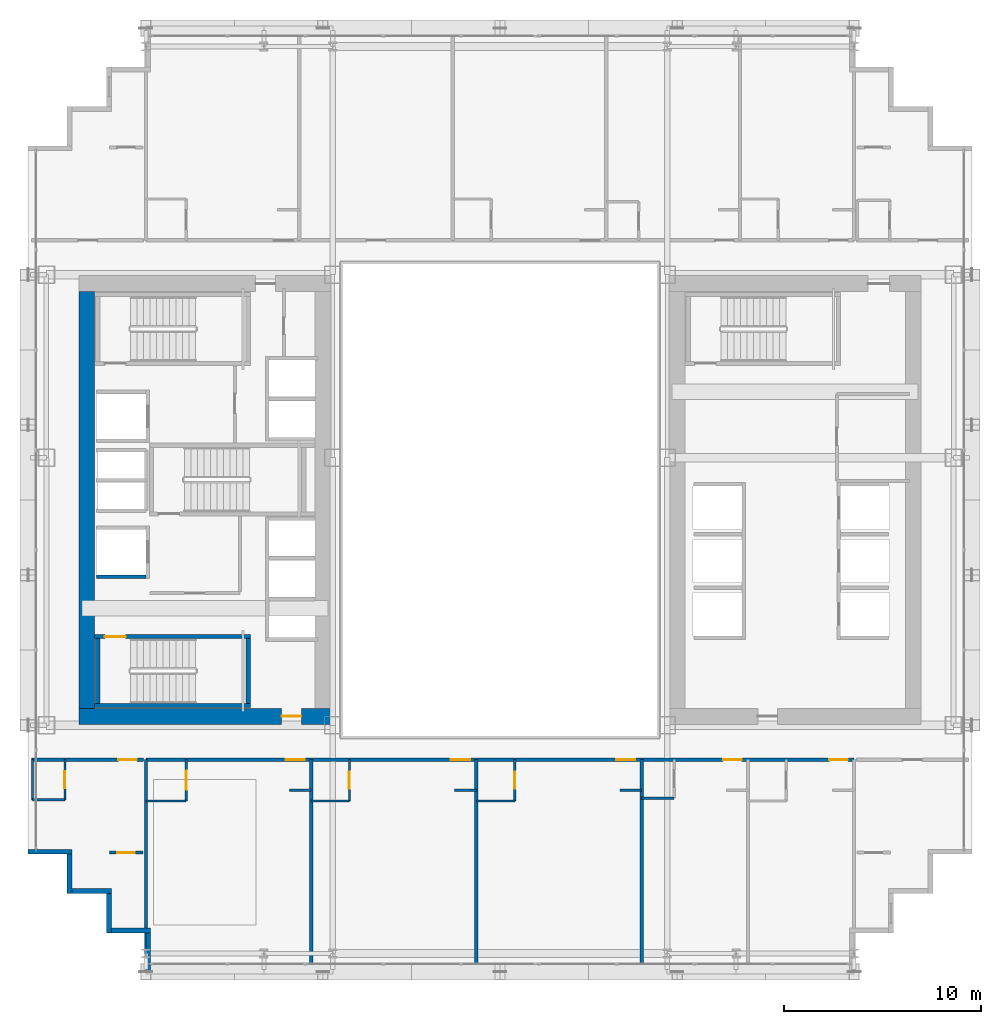
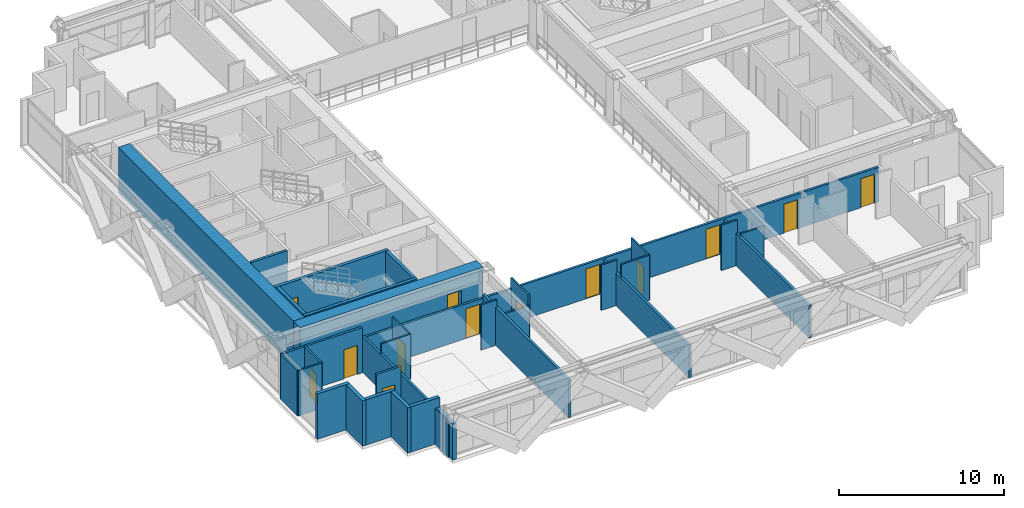
# One storey, part 30 of 38: 33 walls, 13 doors, 13 openings.
"""IFC4 building model written with IfcOpenShell, lengths in metres."""

from ifc_helpers import new_model, si_unit, direction, frame, frame_2d, origin, place, context, subcontext, project, spatial, rectangle, extrude, source, transform, mapped, material, layer, layer_set, type_object, element, fill, save


model = new_model("IFC4")

# Units and contexts
model_context = context("Model", 3, precision=1e-05, world=origin(), true_north=direction((0.0, 1.0)))
body_context = subcontext(model_context, "Body", "Model", "MODEL_VIEW")
ifc_project = project(units=[si_unit("LENGTHUNIT", "METRE"), si_unit("AREAUNIT", "SQUARE_METRE"), si_unit("VOLUMEUNIT", "CUBIC_METRE"), si_unit("PLANEANGLEUNIT", "RADIAN"), si_unit("MASSUNIT", "GRAM", prefix="KILO")], contexts=[model_context])

# Site, building, storey
site_placement = place(None, origin())
site = spatial("IfcSite", under=ifc_project, at=site_placement, CompositionType="ELEMENT")
building_placement = place(site_placement, origin())
building = spatial("IfcBuilding", under=site, at=building_placement, Name="Ocotamira Hotel", CompositionType="ELEMENT")
storey_placement = place(building_placement, frame((0.0, 0.0, 60.0)))
storey = spatial("IfcBuildingStorey", under=building, at=storey_placement, Name="L14", CompositionType="ELEMENT", Elevation=60.0)

# Wall, opening, door
ifc_material_1 = material(Name="Concrete C60/75", Category="concrete")
ifc_layer_1 = layer(ifc_material_1, 0.800048828125)
ifc_layer_set_1 = layer_set([ifc_layer_1], Name="Concrete C60/75")
wall_type_1 = type_object("IfcWallType", Name="WL-CORE-800", PredefinedType="SHEAR", material=ifc_layer_set_1)
wall_1_placement = place(storey_placement, frame((10.60009765625, 15.0, 0.0), z_axis=(0.0, 0.0, 1.0), x_axis=(1.0, 0.0, 0.0)))
wall_1 = element("IfcWall", 1, at=wall_1_placement, inside=storey, type_object=wall_type_1, Name="L14 Shear Core Wall WCORE-S", PredefinedType="SHEAR", context=body_context, shape_type="SweptSolid", body=[
    extrude(rectangle(XDim=12.7998046875, YDim=0.800048828125, at=frame_2d((6.39990234375, 0.0))), origin(), (0.0, 0.0, 1.0), 3.35009765625),
])
opening_1_placement = place(wall_1_placement, frame((10.300048828125, 0.0, 0.0)))
opening_1 = element("IfcOpeningElement", 2, at=opening_1_placement, cuts=wall_1, Name="Opening D-FR2", PredefinedType="OPENING", context=body_context, shape_type="SweptSolid", body=[
    extrude(rectangle(XDim=1.0, YDim=2.14990234375, at=frame_2d((0.5, 1.074951171875))), frame((0.0, 0.41015625, 0.0), z_axis=(0.0, -1.0, 0.0), x_axis=(1.0, 0.0, 0.0)), (0.0, 0.0, 1.0), 0.820068359375),
])
ifc_material_2 = material(Name="Fire-rated acoustic timber-veneer door", Category="wood")
door_type_1 = type_object("IfcDoorType", Name="DR-FIRE-1000", OperationType="NOTDEFINED", PredefinedType="DOOR", material=ifc_material_2)
shared_shape_1 = source(origin(), body_context, "Body", "SweptSolid", [
    extrude(rectangle(XDim=1.0, YDim=2.14990234375, at=frame_2d((0.5, 1.074951171875))), frame((0.0, 0.02490234375, 0.0), z_axis=(0.0, -1.0, 0.0), x_axis=(1.0, 0.0, 0.0)), (0.0, 0.0, 1.0), 0.050048828125),
])
door_1_placement = place(opening_1_placement, origin())
door_1 = element("IfcDoor", 3, at=door_1_placement, inside=storey, type_object=door_type_1, Name="L14 Door ID-L14-WLOB-S-D [ID-L14-WLOB-S-D]", OperationType="SINGLE_SWING_LEFT", OverallHeight=2.14990234375, OverallWidth=1.0, PredefinedType="DOOR", context=body_context, shape_type="MappedRepresentation", body=[
    mapped(shared_shape_1, transform((0.0, 0.0, 0.0), scale=1.0)),
])
fill(opening_1, door_1)

# Walls
wall_2_placement = place(storey_placement, frame((11.0, 15.39990234375, 0.0), z_axis=(0.0, 0.0, 1.0), x_axis=(0.0, 1.0, 0.0)))
element("IfcWall", 4, at=wall_2_placement, inside=storey, type_object=wall_type_1, Name="L14 Shear Core Wall WCORE-W", PredefinedType="SHEAR", context=body_context, shape_type="SweptSolid", body=[
    extrude(rectangle(XDim=21.2001953125, YDim=0.800048828125, at=frame_2d((10.60009765625, 0.0))), origin(), (0.0, 0.0, 1.0), 3.35009765625),
])
ifc_material_3 = material(Name="Precast concrete C45/55", Category="concrete")
ifc_layer_2 = layer(ifc_material_3, 0.25)
ifc_layer_set_2 = layer_set([ifc_layer_2], Name="Precast concrete C45/55")
wall_type_2 = type_object("IfcWallType", Name="WL-EXT-SER-250", PredefinedType="SOLIDWALL", material=ifc_layer_set_2)
wall_3_placement = place(storey_placement, frame((8.0, 8.125, 0.0), z_axis=(0.0, 0.0, 1.0), x_axis=(1.0, 0.0, 0.0)))
element("IfcWall", 5, at=wall_3_placement, inside=storey, type_object=wall_type_2, Name="L14 Serrated Corner Wall 19", PredefinedType="SOLIDWALL", context=body_context, shape_type="SweptSolid", body=[
    extrude(rectangle(XDim=2.25, YDim=0.25, at=frame_2d((1.125, 0.0))), origin(), (0.0, 0.0, 1.0), 3.35009765625),
])
for number, where, z_axis, x_axis, name in (
    (6, (10.125, 8.0, 0.0), (0.0, 0.0, 1.0), (0.0, -1.0, 0.0), "L14 Serrated Corner Wall 20"),
    (7, (10.25, 6.125, 0.0), (0.0, 0.0, 1.0), (1.0, 0.0, 0.0), "L14 Serrated Corner Wall 21"),
    (8, (12.125, 6.0, 0.0), (0.0, 0.0, 1.0), (0.0, -1.0, 0.0), "L14 Serrated Corner Wall 22"),
    (9, (12.25, 4.125, 0.0), (0.0, 0.0, 1.0), (1.0, 0.0, 0.0), "L14 Serrated Corner Wall 23"),
):
    element("IfcWall", number, at=place(storey_placement, frame(where, z_axis=z_axis, x_axis=x_axis)), inside=storey, type_object=wall_type_2, Name=name, PredefinedType="SOLIDWALL", context=body_context, shape_type="SweptSolid", body=[
        extrude(rectangle(XDim=2.0, YDim=0.25, at=frame_2d((1.0, 0.0))), origin(), (0.0, 0.0, 1.0), 3.35009765625),
    ])
wall_4_placement = place(storey_placement, frame((14.125, 4.0, 0.0), z_axis=(0.0, 0.0, 1.0), x_axis=(0.0, -1.0, 0.0)))
element("IfcWall", 10, at=wall_4_placement, inside=storey, type_object=wall_type_2, Name="L14 Serrated Corner Wall 24", PredefinedType="SOLIDWALL", context=body_context, shape_type="SweptSolid", body=[
    extrude(rectangle(XDim=2.0, YDim=0.25, at=frame_2d((1.0, 0.0))), origin(), (0.0, 0.0, 1.0), 2.656982421875),
])

# Wall, opening, door
ifc_material_4 = material(Name="Acoustic double-layer fire gypsum board partition", Category="gypsum")
ifc_layer_3 = layer(ifc_material_4, 0.159912109375)
ifc_layer_set_3 = layer_set([ifc_layer_3], Name="Acoustic double-layer fire gypsum board partition")
wall_type_3 = type_object("IfcWallType", Name="WL-FIRE-160", PredefinedType="PARTITIONING", material=ifc_layer_set_3)
wall_5_placement = place(storey_placement, frame((8.199951171875, 12.800048828125, 0.0), z_axis=(0.0, 0.0, 1.0), x_axis=(1.0, 0.0, 0.0)))
wall_5 = element("IfcWall", 11, at=wall_5_placement, inside=storey, type_object=wall_type_3, Name="L14 Interior Wall PW-L14-Z1C-CSW-CW", PredefinedType="PARTITIONING", context=body_context, shape_type="SweptSolid", body=[
    extrude(rectangle(XDim=5.679931640625, YDim=0.159912109375, at=frame_2d((2.83984375, 0.0))), origin(), (0.0, 0.0, 1.0), 3.35009765625),
])
opening_2_placement = place(wall_5_placement, frame((4.39990234375, 0.0, 0.0)))
opening_2 = element("IfcOpeningElement", 12, at=opening_2_placement, cuts=wall_5, Name="Opening D-GR1", PredefinedType="OPENING", context=body_context, shape_type="SweptSolid", body=[
    extrude(rectangle(XDim=0.93994140625, YDim=2.14990234375, at=frame_2d((0.469970703125, 1.074951171875))), frame((0.0, 0.08984375, 0.0), z_axis=(0.0, -1.0, 0.0), x_axis=(1.0, 0.0, 0.0)), (0.0, 0.0, 1.0), 0.179931640625),
])
ifc_material_5 = material(Name="Solid-core walnut suite entrance fire door", Category="wood")
door_type_2 = type_object("IfcDoorType", Name="DR-GUEST-940", OperationType="NOTDEFINED", PredefinedType="DOOR", material=ifc_material_5)
shared_shape_2 = source(origin(), body_context, "Body", "SweptSolid", [
    extrude(rectangle(XDim=0.93994140625, YDim=2.14990234375, at=frame_2d((0.469970703125, 1.074951171875))), frame((0.0, 0.02490234375, 0.0), z_axis=(0.0, -1.0, 0.0), x_axis=(1.0, 0.0, 0.0)), (0.0, 0.0, 1.0), 0.050048828125),
])
door_2_placement = place(opening_2_placement, origin())
door_2 = element("IfcDoor", 13, at=door_2_placement, inside=storey, type_object=door_type_2, Name="L14 Door ID-L14-Z1C-CSW-CD [ID-L14-Z1C-CSW-CD]", OperationType="SINGLE_SWING_RIGHT", OverallHeight=2.14990234375, OverallWidth=0.93994140625, PredefinedType="DOOR", context=body_context, shape_type="MappedRepresentation", body=[
    mapped(shared_shape_2, transform((0.0, 0.0, 0.0), scale=1.0)),
])
fill(opening_2, door_2)

wall_6_placement = place(storey_placement, frame((12.14990234375, 8.080078125, 0.0), z_axis=(0.0, 0.0, 1.0), x_axis=(1.0, 0.0, 0.0)))
wall_6 = element("IfcWall", 14, at=wall_6_placement, inside=storey, type_object=wall_type_3, Name="L14 Interior Wall PW-L14-Z1C-CSW2-CW", PredefinedType="PARTITIONING", context=body_context, shape_type="SweptSolid", body=[
    extrude(rectangle(XDim=1.7001953125, YDim=0.159912109375, at=frame_2d((0.85009765625, 0.0))), origin(), (0.0, 0.0, 1.0), 3.35009765625),
])
opening_3_placement = place(wall_6_placement, frame((0.409912109375, 0.0, 0.0)))
opening_3 = element("IfcOpeningElement", 15, at=opening_3_placement, cuts=wall_6, Name="Opening D-SV2", PredefinedType="OPENING", context=body_context, shape_type="SweptSolid", body=[
    extrude(rectangle(XDim=0.8798828125, YDim=2.14990234375, at=frame_2d((0.43994140625, 1.074951171875))), frame((0.0, 0.08984375, 0.0), z_axis=(0.0, -1.0, 0.0), x_axis=(1.0, 0.0, 0.0)), (0.0, 0.0, 1.0), 0.179931640625),
])
ifc_material_6 = material(Name="Fire-rated painted steel service door", Category="steel")
door_type_3 = type_object("IfcDoorType", Name="DR-SERV-880", OperationType="NOTDEFINED", PredefinedType="DOOR", material=ifc_material_6)
shared_shape_3 = source(origin(), body_context, "Body", "SweptSolid", [
    extrude(rectangle(XDim=0.8798828125, YDim=2.14990234375, at=frame_2d((0.43994140625, 1.074951171875))), frame((0.0, 0.02490234375, 0.0), z_axis=(0.0, -1.0, 0.0), x_axis=(1.0, 0.0, 0.0)), (0.0, 0.0, 1.0), 0.050048828125),
])
door_3_placement = place(opening_3_placement, origin())
door_3 = element("IfcDoor", 16, at=door_3_placement, inside=storey, type_object=door_type_3, Name="L14 Door ID-L14-Z1C-CSW2-CD [ID-L14-Z1C-CSW2-CD]", OperationType="SINGLE_SWING_LEFT", OverallHeight=2.14990234375, OverallWidth=0.8798828125, PredefinedType="DOOR", context=body_context, shape_type="MappedRepresentation", body=[
    mapped(shared_shape_3, transform((0.0, 0.0, 0.0), scale=1.0)),
])
fill(opening_3, door_3)

# Wall, openings, doors
wall_7_placement = place(storey_placement, frame((14.0, 12.800048828125, 0.0), z_axis=(0.0, 0.0, 1.0), x_axis=(1.0, 0.0, 0.0)))
wall_7 = element("IfcWall", 17, at=wall_7_placement, inside=storey, type_object=wall_type_3, Name="L14 Interior Wall PW-L14-Z1CS-CORRW", PredefinedType="PARTITIONING", context=body_context, shape_type="SweptSolid", body=[
    extrude(rectangle(XDim=36.0, YDim=0.159912109375, at=frame_2d((18.0, 0.0))), origin(), (0.0, 0.0, 1.0), 2.571044921875),
])
opening_4_placement = place(wall_7_placement, frame((7.10009765625, 0.0, 0.0)))
opening_4 = element("IfcOpeningElement", 18, at=opening_4_placement, cuts=wall_7, Name="Opening D-GR2", PredefinedType="OPENING", context=body_context, shape_type="SweptSolid", body=[
    extrude(rectangle(XDim=0.97998046875, YDim=2.199951171875, at=frame_2d((0.489990234375, 1.10009765625))), frame((0.0, 0.08984375, 0.0), z_axis=(0.0, -1.0, 0.0), x_axis=(1.0, 0.0, 0.0)), (0.0, 0.0, 1.0), 0.179931640625),
])
opening_5_placement = place(wall_7_placement, frame((15.5, 0.0, 0.0)))
opening_5 = element("IfcOpeningElement", 19, at=opening_5_placement, cuts=wall_7, Name="Opening D-GR2", PredefinedType="OPENING", context=body_context, shape_type="SweptSolid", body=[
    extrude(rectangle(XDim=0.97998046875, YDim=2.199951171875, at=frame_2d((0.489990234375, 1.10009765625))), frame((0.0, 0.08984375, 0.0), z_axis=(0.0, -1.0, 0.0), x_axis=(1.0, 0.0, 0.0)), (0.0, 0.0, 1.0), 0.179931640625),
])
opening_6_placement = place(wall_7_placement, frame((23.89990234375, 0.0, 0.0)))
opening_6 = element("IfcOpeningElement", 20, at=opening_6_placement, cuts=wall_7, Name="Opening D-GR2", PredefinedType="OPENING", context=body_context, shape_type="SweptSolid", body=[
    extrude(rectangle(XDim=0.97998046875, YDim=2.199951171875, at=frame_2d((0.489990234375, 1.10009765625))), frame((0.0, 0.08984375, 0.0), z_axis=(0.0, -1.0, 0.0), x_axis=(1.0, 0.0, 0.0)), (0.0, 0.0, 1.0), 0.179931640625),
])
opening_7_placement = place(wall_7_placement, frame((29.340087890625, 0.0, 0.0)))
opening_7 = element("IfcOpeningElement", 21, at=opening_7_placement, cuts=wall_7, Name="Opening D-GR1", PredefinedType="OPENING", context=body_context, shape_type="SweptSolid", body=[
    extrude(rectangle(XDim=0.93994140625, YDim=2.14990234375, at=frame_2d((0.469970703125, 1.074951171875))), frame((0.0, 0.08984375, 0.0), z_axis=(0.0, -1.0, 0.0), x_axis=(1.0, 0.0, 0.0)), (0.0, 0.0, 1.0), 0.179931640625),
])
opening_8_placement = place(wall_7_placement, frame((34.739990234375, 0.0, 0.0)))
opening_8 = element("IfcOpeningElement", 22, at=opening_8_placement, cuts=wall_7, Name="Opening D-GR1", PredefinedType="OPENING", context=body_context, shape_type="SweptSolid", body=[
    extrude(rectangle(XDim=0.93994140625, YDim=2.14990234375, at=frame_2d((0.469970703125, 1.074951171875))), frame((0.0, 0.08984375, 0.0), z_axis=(0.0, -1.0, 0.0), x_axis=(1.0, 0.0, 0.0)), (0.0, 0.0, 1.0), 0.179931640625),
])
door_4_placement = place(opening_7_placement, origin())
door_4 = element("IfcDoor", 23, at=door_4_placement, inside=storey, type_object=door_type_2, Name="L14 Door ID-L14-Z1CS-RMD4 [ID-L14-Z1CS-RMD4]", OperationType="SINGLE_SWING_RIGHT", OverallHeight=2.14990234375, OverallWidth=0.93994140625, PredefinedType="DOOR", context=body_context, shape_type="MappedRepresentation", body=[
    mapped(shared_shape_2, transform((0.0, 0.0, 0.0), scale=1.0)),
])
fill(opening_7, door_4)
door_5_placement = place(opening_8_placement, origin())
door_5 = element("IfcDoor", 24, at=door_5_placement, inside=storey, type_object=door_type_2, Name="L14 Door ID-L14-Z1CS-RMD5 [ID-L14-Z1CS-RMD5]", OperationType="SINGLE_SWING_LEFT", OverallHeight=2.14990234375, OverallWidth=0.93994140625, PredefinedType="DOOR", context=body_context, shape_type="MappedRepresentation", body=[
    mapped(shared_shape_2, transform((0.0, 0.0, 0.0), scale=1.0)),
])
fill(opening_8, door_5)
ifc_material_7 = material(Name="Solid-core walnut grand-suite entrance fire door", Category="wood")
door_type_4 = type_object("IfcDoorType", Name="DR-GUEST-980", OperationType="NOTDEFINED", PredefinedType="DOOR", material=ifc_material_7)
shared_shape_4 = source(origin(), body_context, "Body", "SweptSolid", [
    extrude(rectangle(XDim=0.97998046875, YDim=2.199951171875, at=frame_2d((0.489990234375, 1.10009765625))), frame((0.0, 0.02490234375, 0.0), z_axis=(0.0, -1.0, 0.0), x_axis=(1.0, 0.0, 0.0)), (0.0, 0.0, 1.0), 0.050048828125),
])
door_6_placement = place(opening_4_placement, origin())
door_6 = element("IfcDoor", 25, at=door_6_placement, inside=storey, type_object=door_type_4, Name="L14 Door ID-L14-Z1CS-RMD1 [ID-L14-Z1CS-RMD1]", OperationType="SINGLE_SWING_LEFT", OverallHeight=2.199951171875, OverallWidth=0.97998046875, PredefinedType="DOOR", context=body_context, shape_type="MappedRepresentation", body=[
    mapped(shared_shape_4, transform((0.0, 0.0, 0.0), scale=1.0)),
])
fill(opening_4, door_6)
door_7_placement = place(opening_5_placement, origin())
door_7 = element("IfcDoor", 26, at=door_7_placement, inside=storey, type_object=door_type_4, Name="L14 Door ID-L14-Z1CS-RMD2 [ID-L14-Z1CS-RMD2]", OperationType="SINGLE_SWING_RIGHT", OverallHeight=2.199951171875, OverallWidth=0.97998046875, PredefinedType="DOOR", context=body_context, shape_type="MappedRepresentation", body=[
    mapped(shared_shape_4, transform((0.0, 0.0, 0.0), scale=1.0)),
])
fill(opening_5, door_7)
door_8_placement = place(opening_6_placement, origin())
door_8 = element("IfcDoor", 27, at=door_8_placement, inside=storey, type_object=door_type_4, Name="L14 Door ID-L14-Z1CS-RMD3 [ID-L14-Z1CS-RMD3]", OperationType="SINGLE_SWING_LEFT", OverallHeight=2.199951171875, OverallWidth=0.97998046875, PredefinedType="DOOR", context=body_context, shape_type="MappedRepresentation", body=[
    mapped(shared_shape_4, transform((0.0, 0.0, 0.0), scale=1.0)),
])
fill(opening_6, door_8)

# Wall, opening, door
ifc_material_8 = material(Name="Moisture-resistant en-suite tile and gypsum partition", Category="gypsum")
ifc_layer_4 = layer(ifc_material_8, 0.1201171875)
ifc_layer_set_4 = layer_set([ifc_layer_4], Name="Moisture-resistant en-suite tile and gypsum partition")
wall_type_4 = type_object("IfcWallType", Name="WL-PART-120", PredefinedType="PARTITIONING", material=ifc_layer_set_4)
wall_8_placement = place(storey_placement, frame((9.889892578125, 10.760009765625, 0.0), z_axis=(0.0, 0.0, 1.0), x_axis=(0.0, 1.0, 0.0)))
wall_8 = element("IfcWall", 28, at=wall_8_placement, inside=storey, type_object=wall_type_4, Name="L14 Interior Wall PW-L14-Z1C-CSW-BE", PredefinedType="PARTITIONING", context=body_context, shape_type="SweptSolid", body=[
    extrude(rectangle(XDim=2.0400390625, YDim=0.1201171875, at=frame_2d((1.02001953125, 0.0))), origin(), (0.0, 0.0, 1.0), 3.35009765625),
])
opening_9_placement = place(wall_8_placement, frame((0.590087890625, 0.0, 0.0)))
opening_9 = element("IfcOpeningElement", 29, at=opening_9_placement, cuts=wall_8, Name="Opening D-BA1", PredefinedType="OPENING", context=body_context, shape_type="SweptSolid", body=[
    extrude(rectangle(XDim=0.860107421875, YDim=2.10009765625, at=frame_2d((0.43017578125, 1.050048828125))), frame((0.0, 0.070068359375, 0.0), z_axis=(0.0, -1.0, 0.0), x_axis=(1.0, 0.0, 0.0)), (0.0, 0.0, 1.0), 0.14013671875),
])
ifc_material_9 = material(Name="Moisture-sealed en-suite timber door", Category="wood")
door_type_5 = type_object("IfcDoorType", Name="DR-BATH-860", OperationType="NOTDEFINED", PredefinedType="DOOR", material=ifc_material_9)
shared_shape_5 = source(origin(), body_context, "Body", "SweptSolid", [
    extrude(rectangle(XDim=0.860107421875, YDim=2.10009765625, at=frame_2d((0.43017578125, 1.050048828125))), frame((0.0, 0.02490234375, 0.0), z_axis=(0.0, -1.0, 0.0), x_axis=(1.0, 0.0, 0.0)), (0.0, 0.0, 1.0), 0.050048828125),
])
door_9_placement = place(opening_9_placement, origin())
door_9 = element("IfcDoor", 30, at=door_9_placement, inside=storey, type_object=door_type_5, Name="L14 Door ID-L14-Z1C-CSW-BD [ID-L14-Z1C-CSW-BD]", OperationType="SINGLE_SWING_LEFT", OverallHeight=2.10009765625, OverallWidth=0.860107421875, PredefinedType="DOOR", context=body_context, shape_type="MappedRepresentation", body=[
    mapped(shared_shape_5, transform((0.0, 0.0, 0.0), scale=1.0)),
])
fill(opening_9, door_9)

# Walls
wall_9_placement = place(storey_placement, frame((8.239990234375, 10.760009765625, 0.0), z_axis=(0.0, 0.0, 1.0), x_axis=(0.0, 1.0, 0.0)))
element("IfcWall", 31, at=wall_9_placement, inside=storey, type_object=wall_type_4, Name="L14 Interior Wall PW-L14-Z1C-CSW-BW", PredefinedType="PARTITIONING", context=body_context, shape_type="SweptSolid", body=[
    extrude(rectangle(XDim=2.0400390625, YDim=0.1201171875, at=frame_2d((1.02001953125, 0.0))), origin(), (0.0, 0.0, 1.0), 3.35009765625),
])
wall_10_placement = place(storey_placement, frame((8.239990234375, 10.760009765625, 0.0), z_axis=(0.0, 0.0, 1.0), x_axis=(1.0, 0.0, 0.0)))
element("IfcWall", 32, at=wall_10_placement, inside=storey, type_object=wall_type_4, Name="L14 Interior Wall PW-L14-Z1C-CSW-BH", PredefinedType="PARTITIONING", context=body_context, shape_type="SweptSolid", body=[
    extrude(rectangle(XDim=1.64990234375, YDim=0.1201171875, at=frame_2d((0.824951171875, 0.0))), origin(), (0.0, 0.0, 1.0), 3.35009765625),
])

# Wall, opening, door
wall_11_placement = place(storey_placement, frame((16.050048828125, 10.699951171875, 0.0), z_axis=(0.0, 0.0, 1.0), x_axis=(0.0, 1.0, 0.0)))
wall_11 = element("IfcWall", 33, at=wall_11_placement, inside=storey, type_object=wall_type_4, Name="L14 Interior Wall PW-L14-Z1CS-BAE1", PredefinedType="PARTITIONING", context=body_context, shape_type="SweptSolid", body=[
    extrude(rectangle(XDim=2.10009765625, YDim=0.1201171875, at=frame_2d((1.050048828125, 0.0))), origin(), (0.0, 0.0, 1.0), 3.35009765625),
])
opening_10_placement = place(wall_11_placement, frame((0.570068359375, 0.0, 0.0)))
opening_10 = element("IfcOpeningElement", 34, at=opening_10_placement, cuts=wall_11, Name="Opening D-IN1", PredefinedType="OPENING", context=body_context, shape_type="SweptSolid", body=[
    extrude(rectangle(XDim=0.9599609375, YDim=2.14990234375, at=frame_2d((0.47998046875, 1.074951171875))), frame((0.0, 0.070068359375, 0.0), z_axis=(0.0, -1.0, 0.0), x_axis=(1.0, 0.0, 0.0)), (0.0, 0.0, 1.0), 0.14013671875),
])
ifc_material_10 = material(Name="Accessible walnut interior room door", Category="wood")
door_type_6 = type_object("IfcDoorType", Name="DR-INT-960", OperationType="NOTDEFINED", PredefinedType="DOOR", material=ifc_material_10)
shared_shape_6 = source(origin(), body_context, "Body", "SweptSolid", [
    extrude(rectangle(XDim=0.9599609375, YDim=2.14990234375, at=frame_2d((0.47998046875, 1.074951171875))), frame((0.0, 0.02490234375, 0.0), z_axis=(0.0, -1.0, 0.0), x_axis=(1.0, 0.0, 0.0)), (0.0, 0.0, 1.0), 0.050048828125),
])
door_10_placement = place(opening_10_placement, origin())
door_10 = element("IfcDoor", 35, at=door_10_placement, inside=storey, type_object=door_type_6, Name="L14 Door ID-L14-Z1CS-BAD1 [ID-L14-Z1CS-BAD1]", OperationType="SINGLE_SWING_RIGHT", OverallHeight=2.14990234375, OverallWidth=0.9599609375, PredefinedType="DOOR", context=body_context, shape_type="MappedRepresentation", body=[
    mapped(shared_shape_6, transform((0.0, 0.0, 0.0), scale=1.0)),
])
fill(opening_10, door_10)

# Walls
wall_12_placement = place(storey_placement, frame((14.0, 10.699951171875, 0.0), z_axis=(0.0, 0.0, 1.0), x_axis=(1.0, 0.0, 0.0)))
element("IfcWall", 36, at=wall_12_placement, inside=storey, type_object=wall_type_4, Name="L14 Interior Wall PW-L14-Z1CS-BAS1", PredefinedType="PARTITIONING", context=body_context, shape_type="SweptSolid", body=[
    extrude(rectangle(XDim=2.050048828125, YDim=0.1201171875, at=frame_2d((1.02490234375, 0.0))), origin(), (0.0, 0.0, 1.0), 3.35009765625),
])
wall_13_placement = place(storey_placement, frame((21.300048828125, 11.25, 0.0), z_axis=(0.0, 0.0, 1.0), x_axis=(1.0, 0.0, 0.0)))
element("IfcWall", 37, at=wall_13_placement, inside=storey, type_object=wall_type_4, Name="L14 Interior Wall PW-L14-Z1CS-DRN1", PredefinedType="PARTITIONING", context=body_context, shape_type="SweptSolid", body=[
    extrude(rectangle(XDim=1.099853515625, YDim=0.1201171875, at=frame_2d((0.5498046875, 0.0))), origin(), (0.0, 0.0, 1.0), 3.35009765625),
])

# Wall, opening, door
wall_14_placement = place(storey_placement, frame((24.35009765625, 10.699951171875, 0.0), z_axis=(0.0, 0.0, 1.0), x_axis=(0.0, 1.0, 0.0)))
wall_14 = element("IfcWall", 38, at=wall_14_placement, inside=storey, type_object=wall_type_4, Name="L14 Interior Wall PW-L14-Z1CS-BAE2", PredefinedType="PARTITIONING", context=body_context, shape_type="SweptSolid", body=[
    extrude(rectangle(XDim=2.10009765625, YDim=0.1201171875, at=frame_2d((1.050048828125, 0.0))), origin(), (0.0, 0.0, 1.0), 3.35009765625),
])
opening_11_placement = place(wall_14_placement, frame((0.6201171875, 0.0, 0.0)))
opening_11 = element("IfcOpeningElement", 39, at=opening_11_placement, cuts=wall_14, Name="Opening D-BA1", PredefinedType="OPENING", context=body_context, shape_type="SweptSolid", body=[
    extrude(rectangle(XDim=0.860107421875, YDim=2.10009765625, at=frame_2d((0.43017578125, 1.050048828125))), frame((0.0, 0.070068359375, 0.0), z_axis=(0.0, -1.0, 0.0), x_axis=(1.0, 0.0, 0.0)), (0.0, 0.0, 1.0), 0.14013671875),
])
door_11_placement = place(opening_11_placement, origin())
door_11 = element("IfcDoor", 40, at=door_11_placement, inside=storey, type_object=door_type_5, Name="L14 Door ID-L14-Z1CS-BAD2 [ID-L14-Z1CS-BAD2]", OperationType="SINGLE_SWING_LEFT", OverallHeight=2.10009765625, OverallWidth=0.860107421875, PredefinedType="DOOR", context=body_context, shape_type="MappedRepresentation", body=[
    mapped(shared_shape_5, transform((0.0, 0.0, 0.0), scale=1.0)),
])
fill(opening_11, door_11)

# Walls
wall_15_placement = place(storey_placement, frame((22.39990234375, 10.699951171875, 0.0), z_axis=(0.0, 0.0, 1.0), x_axis=(1.0, 0.0, 0.0)))
element("IfcWall", 41, at=wall_15_placement, inside=storey, type_object=wall_type_4, Name="L14 Interior Wall PW-L14-Z1CS-BAS2", PredefinedType="PARTITIONING", context=body_context, shape_type="SweptSolid", body=[
    extrude(rectangle(XDim=1.9501953125, YDim=0.1201171875, at=frame_2d((0.97509765625, 0.0))), origin(), (0.0, 0.0, 1.0), 2.571044921875),
])
wall_16_placement = place(storey_placement, frame((29.699951171875, 11.25, 0.0), z_axis=(0.0, 0.0, 1.0), x_axis=(1.0, 0.0, 0.0)))
element("IfcWall", 42, at=wall_16_placement, inside=storey, type_object=wall_type_4, Name="L14 Interior Wall PW-L14-Z1CS-DRN2", PredefinedType="PARTITIONING", context=body_context, shape_type="SweptSolid", body=[
    extrude(rectangle(XDim=1.10009765625, YDim=0.1201171875, at=frame_2d((0.550048828125, 0.0))), origin(), (0.0, 0.0, 1.0), 3.35009765625),
])

# Wall, opening, door
wall_17_placement = place(storey_placement, frame((32.75, 10.699951171875, 0.0), z_axis=(0.0, 0.0, 1.0), x_axis=(0.0, 1.0, 0.0)))
wall_17 = element("IfcWall", 43, at=wall_17_placement, inside=storey, type_object=wall_type_4, Name="L14 Interior Wall PW-L14-Z1CS-BAE3", PredefinedType="PARTITIONING", context=body_context, shape_type="SweptSolid", body=[
    extrude(rectangle(XDim=2.10009765625, YDim=0.1201171875, at=frame_2d((1.050048828125, 0.0))), origin(), (0.0, 0.0, 1.0), 3.35009765625),
])
opening_12_placement = place(wall_17_placement, frame((0.6201171875, 0.0, 0.0)))
opening_12 = element("IfcOpeningElement", 44, at=opening_12_placement, cuts=wall_17, Name="Opening D-BA1", PredefinedType="OPENING", context=body_context, shape_type="SweptSolid", body=[
    extrude(rectangle(XDim=0.860107421875, YDim=2.10009765625, at=frame_2d((0.43017578125, 1.050048828125))), frame((0.0, 0.070068359375, 0.0), z_axis=(0.0, -1.0, 0.0), x_axis=(1.0, 0.0, 0.0)), (0.0, 0.0, 1.0), 0.14013671875),
])
door_12_placement = place(opening_12_placement, origin())
door_12 = element("IfcDoor", 45, at=door_12_placement, inside=storey, type_object=door_type_5, Name="L14 Door ID-L14-Z1CS-BAD3 [ID-L14-Z1CS-BAD3]", OperationType="SINGLE_SWING_RIGHT", OverallHeight=2.10009765625, OverallWidth=0.860107421875, PredefinedType="DOOR", context=body_context, shape_type="MappedRepresentation", body=[
    mapped(shared_shape_5, transform((0.0, 0.0, 0.0), scale=1.0)),
])
fill(opening_12, door_12)

# Walls
wall_18_placement = place(storey_placement, frame((30.800048828125, 10.699951171875, 0.0), z_axis=(0.0, 0.0, 1.0), x_axis=(1.0, 0.0, 0.0)))
element("IfcWall", 46, at=wall_18_placement, inside=storey, type_object=wall_type_4, Name="L14 Interior Wall PW-L14-Z1CS-BAS3", PredefinedType="PARTITIONING", context=body_context, shape_type="SweptSolid", body=[
    extrude(rectangle(XDim=1.949951171875, YDim=0.1201171875, at=frame_2d((0.97509765625, 0.0))), origin(), (0.0, 0.0, 1.0), 3.35009765625),
])
wall_19_placement = place(storey_placement, frame((38.10009765625, 11.25, 0.0), z_axis=(0.0, 0.0, 1.0), x_axis=(1.0, 0.0, 0.0)))
element("IfcWall", 47, at=wall_19_placement, inside=storey, type_object=wall_type_4, Name="L14 Interior Wall PW-L14-Z1CS-DRN3", PredefinedType="PARTITIONING", context=body_context, shape_type="SweptSolid", body=[
    extrude(rectangle(XDim=1.099853515625, YDim=0.1201171875, at=frame_2d((0.5498046875, 0.0))), origin(), (0.0, 0.0, 1.0), 3.35009765625),
])
wall_20_placement = place(storey_placement, frame((39.199951171875, 10.85009765625, 0.0), z_axis=(0.0, 0.0, 1.0), x_axis=(1.0, 0.0, 0.0)))
element("IfcWall", 48, at=wall_20_placement, inside=storey, type_object=wall_type_4, Name="L14 Interior Wall PW-L14-Z1CS-BAS4", PredefinedType="PARTITIONING", context=body_context, shape_type="SweptSolid", body=[
    extrude(rectangle(XDim=1.650146484375, YDim=0.1201171875, at=frame_2d((0.8251953125, 0.0))), origin(), (0.0, 0.0, 1.0), 2.571044921875),
])
ifc_material_11 = material(Name="Acoustic double-stud hospitality gypsum partition", Category="gypsum")
ifc_layer_5 = layer(ifc_material_11, 0.159912109375)
ifc_layer_set_5 = layer_set([ifc_layer_5], Name="Acoustic double-stud hospitality gypsum partition")
wall_type_5 = type_object("IfcWallType", Name="WL-PART-160", PredefinedType="PARTITIONING", material=ifc_layer_set_5)
wall_21_placement = place(storey_placement, frame((14.0, 2.360107421875, 0.0), z_axis=(0.0, 0.0, 1.0), x_axis=(0.0, 1.0, 0.0)))
element("IfcWall", 49, at=wall_21_placement, inside=storey, type_object=wall_type_5, Name="L14 Interior Wall PW-L14-Z1CS-PW0", PredefinedType="PARTITIONING", context=body_context, shape_type="SweptSolid", body=[
    extrude(rectangle(XDim=10.43994140625, YDim=0.159912109375, at=frame_2d((5.219970703125, 0.0))), origin(), (0.0, 0.0, 1.0), 2.656982421875),
])
ifc_material_12 = material(Name="Double-stud suite party gypsum partition", Category="gypsum")
ifc_layer_6 = layer(ifc_material_12, 0.175048828125)
ifc_layer_set_6 = layer_set([ifc_layer_6], Name="Double-stud suite party gypsum partition")
wall_type_6 = type_object("IfcWallType", Name="WL-PART-175", PredefinedType="PARTITIONING", material=ifc_layer_set_6)
wall_22_placement = place(storey_placement, frame((22.39990234375, 2.360107421875, 0.0), z_axis=(0.0, 0.0, 1.0), x_axis=(0.0, 1.0, 0.0)))
element("IfcWall", 50, at=wall_22_placement, inside=storey, type_object=wall_type_6, Name="L14 Interior Wall PW-L14-Z1CS-PW1", PredefinedType="PARTITIONING", context=body_context, shape_type="SweptSolid", body=[
    extrude(rectangle(XDim=10.43994140625, YDim=0.175048828125, at=frame_2d((5.219970703125, 0.0))), origin(), (0.0, 0.0, 1.0), 2.81298828125),
])
for number, where, z_axis, x_axis, name in (
    (51, (30.800048828125, 2.360107421875, 0.0), (0.0, 0.0, 1.0), (0.0, 1.0, 0.0), "L14 Interior Wall PW-L14-Z1CS-PW2"),
    (52, (39.199951171875, 2.360107421875, 0.0), (0.0, 0.0, 1.0), (0.0, 1.0, 0.0), "L14 Interior Wall PW-L14-Z1CS-PW3"),
):
    element("IfcWall", number, at=place(storey_placement, frame(where, z_axis=z_axis, x_axis=x_axis)), inside=storey, type_object=wall_type_6, Name=name, PredefinedType="PARTITIONING", context=body_context, shape_type="SweptSolid", body=[
        extrude(rectangle(XDim=10.43994140625, YDim=0.175048828125, at=frame_2d((5.219970703125, 0.0))), origin(), (0.0, 0.0, 1.0), 2.423095703125),
    ])
ifc_material_13 = material(Name="Fire-rated gypsum shaftliner board assembly", Category="gypsum")
ifc_layer_7 = layer(ifc_material_13, 0.179931640625)
ifc_layer_set_7 = layer_set([ifc_layer_7], Name="Fire-rated gypsum shaftliner board assembly")
wall_type_7 = type_object("IfcWallType", Name="WL-SHAFT-180", PredefinedType="SOLIDWALL", material=ifc_layer_set_7)
wall_23_placement = place(storey_placement, frame((11.5, 22.110107421875, 0.0), z_axis=(0.0, 0.0, 1.0), x_axis=(1.0, 0.0, 0.0)))
element("IfcWall", 53, at=wall_23_placement, inside=storey, type_object=wall_type_7, Name="L14 Interior Wall PW-L14-LFW-LF-FSAE1-S", PredefinedType="SOLIDWALL", context=body_context, shape_type="SweptSolid", body=[
    extrude(rectangle(XDim=2.5, YDim=0.179931640625, at=frame_2d((1.25, 0.0))), origin(), (0.0, 0.0, 1.0), 3.35009765625),
])
ifc_material_14 = material(Name="Concrete C50/60", Category="concrete")
ifc_layer_8 = layer(ifc_material_14, 0.219970703125)
ifc_layer_set_8 = layer_set([ifc_layer_8], Name="Concrete C50/60")
wall_type_8 = type_object("IfcWallType", Name="WL-STAIR-220", PredefinedType="SHEAR", material=ifc_layer_set_8)
wall_24_placement = place(storey_placement, frame((11.39990234375, 15.56005859375, 0.0), z_axis=(0.0, 0.0, 1.0), x_axis=(1.0, 0.0, 0.0)))
element("IfcWall", 54, at=wall_24_placement, inside=storey, type_object=wall_type_8, Name="L14 Stair Shaft Structural Wall ST-1-S", PredefinedType="SHEAR", context=body_context, shape_type="SweptSolid", body=[
    extrude(rectangle(XDim=7.91015625, YDim=0.219970703125, at=frame_2d((3.955078125, 0.0))), origin(), (0.0, 0.0, 1.0), 3.39990234375),
])

# Wall, opening, door
wall_25_placement = place(storey_placement, frame((11.39990234375, 19.06005859375, 0.0), z_axis=(0.0, 0.0, 1.0), x_axis=(1.0, 0.0, 0.0)))
wall_25 = element("IfcWall", 55, at=wall_25_placement, inside=storey, type_object=wall_type_8, Name="L14 Stair Shaft Structural Wall ST-1-N", PredefinedType="SHEAR", context=body_context, shape_type="SweptSolid", body=[
    extrude(rectangle(XDim=7.91015625, YDim=0.219970703125, at=frame_2d((3.955078125, 0.0))), origin(), (0.0, 0.0, 1.0), 3.39990234375),
])
opening_13_placement = place(wall_25_placement, frame((0.52001953125, 0.0, 0.0)))
opening_13 = element("IfcOpeningElement", 56, at=opening_13_placement, cuts=wall_25, Name="Opening D-ST2", PredefinedType="OPENING", context=body_context, shape_type="SweptSolid", body=[
    extrude(rectangle(XDim=1.050048828125, YDim=2.14990234375, at=frame_2d((0.52490234375, 1.074951171875))), frame((0.0, 0.1201171875, 0.0), z_axis=(0.0, -1.0, 0.0), x_axis=(1.0, 0.0, 0.0)), (0.0, 0.0, 1.0), 0.239990234375),
])
ifc_material_15 = material(Name="Insulated painted hollow-metal fire exit door", Category="steel")
door_type_7 = type_object("IfcDoorType", Name="DR-STAIR-1050", OperationType="NOTDEFINED", PredefinedType="DOOR", material=ifc_material_15)
shared_shape_7 = source(origin(), body_context, "Body", "SweptSolid", [
    extrude(rectangle(XDim=1.050048828125, YDim=2.14990234375, at=frame_2d((0.52490234375, 1.074951171875))), frame((0.0, 0.02490234375, 0.0), z_axis=(0.0, -1.0, 0.0), x_axis=(1.0, 0.0, 0.0)), (0.0, 0.0, 1.0), 0.050048828125),
])
door_13_placement = place(opening_13_placement, origin())
door_13 = element("IfcDoor", 57, at=door_13_placement, inside=storey, type_object=door_type_7, Name="L14 Door ID-L14-STD-ST-1 [ID-L14-STD-ST-1]", OperationType="SINGLE_SWING_LEFT", OverallHeight=2.14990234375, OverallWidth=1.050048828125, PredefinedType="DOOR", context=body_context, shape_type="MappedRepresentation", body=[
    mapped(shared_shape_7, transform((0.0, 0.0, 0.0), scale=1.0)),
])
fill(opening_13, door_13)

# Walls
for number, where, z_axis, x_axis, name in (
    (58, (11.56005859375, 15.669921875, 0.0), (0.0, 0.0, 1.0), (0.0, 1.0, 0.0), "L14 Stair Shaft Structural Wall ST-1-W"),
    (59, (19.199951171875, 15.669921875, 0.0), (0.0, 0.0, 1.0), (0.0, 1.0, 0.0), "L14 Stair Shaft Structural Wall ST-1-E"),
):
    element("IfcWall", number, at=place(storey_placement, frame(where, z_axis=z_axis, x_axis=x_axis)), inside=storey, type_object=wall_type_8, Name=name, PredefinedType="SHEAR", context=body_context, shape_type="SweptSolid", body=[
        extrude(rectangle(XDim=3.280029296875, YDim=0.219970703125, at=frame_2d((1.64013671875, 0.0))), origin(), (0.0, 0.0, 1.0), 3.39990234375),
    ])

save(model, "model.ifc")
